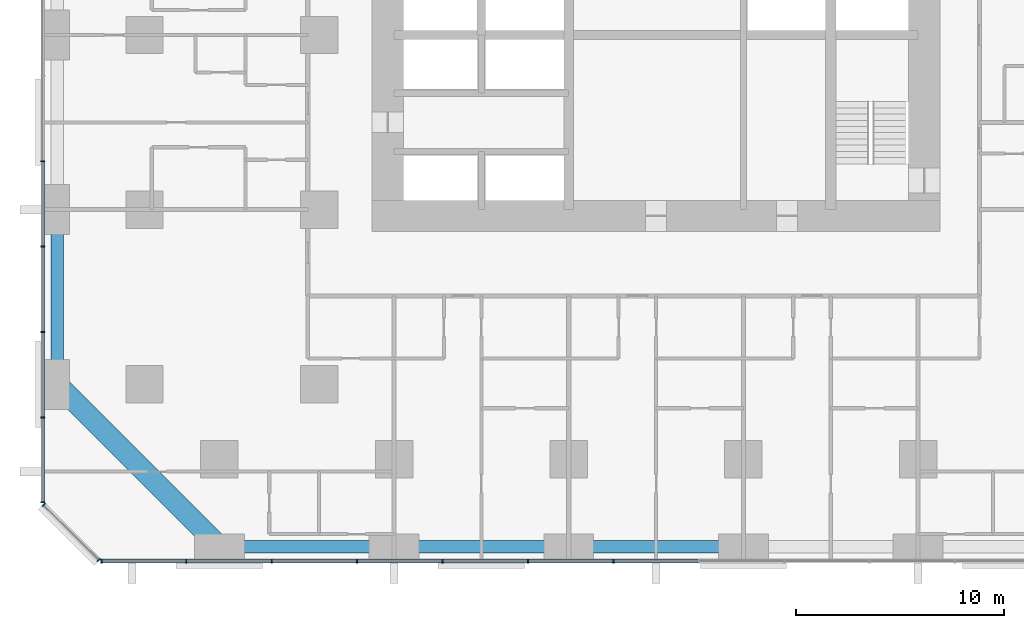
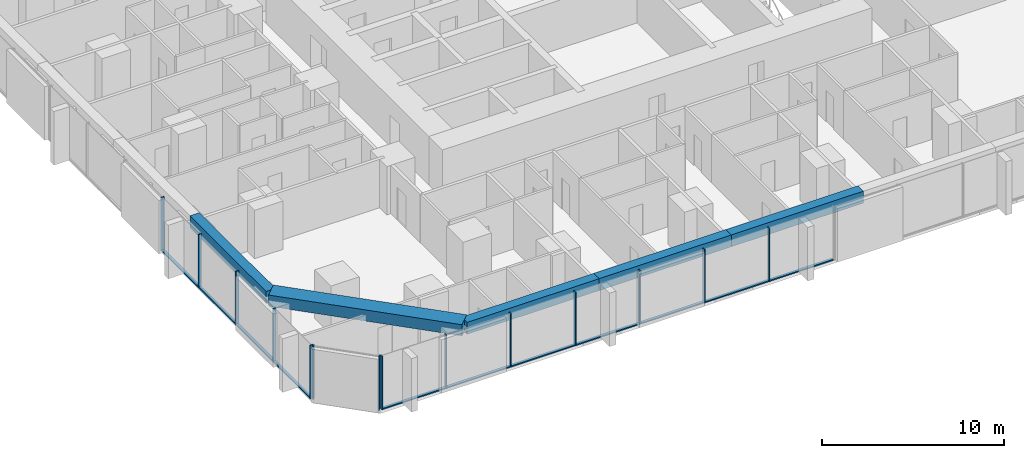
# One storey, part 2 of 17: 25 members, 5 beams, 3 elements without a shape of their own.
"""IFC4 building model written with IfcOpenShell, lengths in metres."""

from ifc_helpers import new_model, si_unit, direction, frame, origin, origin_2d, place, context, subcontext, project, spatial, rectangle, extrude, material, material_profile, profile_set, type_object, element, aggregate, save


model = new_model("IFC4")

# Units and contexts
model_context = context("Model", 3, precision=1e-05, world=origin(), true_north=direction((0.0, 1.0)))
body_context = subcontext(model_context, "Body", "Model", "MODEL_VIEW")
ifc_project = project(units=[si_unit("LENGTHUNIT", "METRE"), si_unit("AREAUNIT", "SQUARE_METRE"), si_unit("VOLUMEUNIT", "CUBIC_METRE"), si_unit("PLANEANGLEUNIT", "RADIAN"), si_unit("MASSUNIT", "GRAM", prefix="KILO")], contexts=[model_context])

# Site, building, storey
site_placement = place(None, origin())
site = spatial("IfcSite", under=ifc_project, at=site_placement, CompositionType="ELEMENT")
building_placement = place(site_placement, origin())
building = spatial("IfcBuilding", under=site, at=building_placement, Name="Dunama Terrace Hotel", CompositionType="ELEMENT")
storey_placement = place(building_placement, frame((0.0, 0.0, 52.199951171875)))
storey = spatial("IfcBuildingStorey", under=building, at=storey_placement, Name="L12", CompositionType="ELEMENT", Elevation=52.199951171875)

# Curtain wall, members
ifc_material_1 = material(Name="Aluminium curtain wall system", Category="aluminium")
curtain_wall_type = type_object("IfcCurtainWallType", Name="Unitised fritted glass wall CW-A", PredefinedType="NOTDEFINED", material=ifc_material_1)
curtain_wall_1_placement = place(storey_placement, origin())
curtain_wall_1 = element("IfcCurtainWall", 1, at=curtain_wall_1_placement, inside=storey, type_object=curtain_wall_type, Name="Unitised fritted glass wall CW-A L12", PredefinedType="NOTDEFINED")
ifc_material_2 = material(Name="Aluminium mullion", Category="aluminium")
ifc_material_profile_1 = material_profile(ifc_material_2, rectangle(XDim=0.06494140625, YDim=0.199951171875, at=origin_2d()), Name="CWA MULLION 65X200")
ifc_profile_set_1 = profile_set([ifc_material_profile_1], Name="Aluminium mullion")
member_type_1 = type_object("IfcMemberType", Name="CWA mullion 65x200", PredefinedType="MULLION", material=ifc_profile_set_1)
member_1_placement = place(storey_placement, frame((2.73291015625, -0.10009765625, 0.0), z_axis=(0.0, 0.0, 1.0), x_axis=(1.0, 0.0, 0.0)))
member_1 = element("IfcMember", 2, at=member_1_placement, type_object=member_type_1, Name="CWA mullion", PredefinedType="MULLION", context=body_context, shape_type="SweptSolid", body=[
    extrude(rectangle(XDim=0.06494140625, YDim=0.199951171875, at=origin_2d()), origin(), (0.0, 0.0, 1.0), 3.60009765625),
])
member_2_placement = place(storey_placement, frame((6.80810546875, -0.10009765625, 0.0), z_axis=(0.0, 0.0, 1.0), x_axis=(1.0, 0.0, 0.0)))
member_2 = element("IfcMember", 3, at=member_2_placement, type_object=member_type_1, Name="CWA mullion", PredefinedType="MULLION", context=body_context, shape_type="SweptSolid", body=[
    extrude(rectangle(XDim=0.06494140625, YDim=0.199951171875, at=origin_2d()), origin(), (0.0, 0.0, 1.0), 3.60009765625),
])
member_3_placement = place(storey_placement, frame((10.9150390625, -0.10009765625, 0.0), z_axis=(0.0, 0.0, 1.0), x_axis=(1.0, 0.0, 0.0)))
member_3 = element("IfcMember", 4, at=member_3_placement, type_object=member_type_1, Name="CWA mullion", PredefinedType="MULLION", context=body_context, shape_type="SweptSolid", body=[
    extrude(rectangle(XDim=0.06494140625, YDim=0.199951171875, at=origin_2d()), origin(), (0.0, 0.0, 1.0), 3.60009765625),
])
member_4_placement = place(storey_placement, frame((15.02294921875, -0.10009765625, 0.0), z_axis=(0.0, 0.0, 1.0), x_axis=(1.0, 0.0, 0.0)))
member_4 = element("IfcMember", 5, at=member_4_placement, type_object=member_type_1, Name="CWA mullion", PredefinedType="MULLION", context=body_context, shape_type="SweptSolid", body=[
    extrude(rectangle(XDim=0.06494140625, YDim=0.199951171875, at=origin_2d()), origin(), (0.0, 0.0, 1.0), 3.60009765625),
])
member_5_placement = place(storey_placement, frame((19.131103515625, -0.10009765625, 0.0), z_axis=(0.0, 0.0, 1.0), x_axis=(1.0, 0.0, 0.0)))
member_5 = element("IfcMember", 6, at=member_5_placement, type_object=member_type_1, Name="CWA mullion", PredefinedType="MULLION", context=body_context, shape_type="SweptSolid", body=[
    extrude(rectangle(XDim=0.06494140625, YDim=0.199951171875, at=origin_2d()), origin(), (0.0, 0.0, 1.0), 3.60009765625),
])
member_6_placement = place(storey_placement, frame((23.238037109375, -0.10009765625, 0.0), z_axis=(0.0, 0.0, 1.0), x_axis=(1.0, 0.0, 0.0)))
member_6 = element("IfcMember", 7, at=member_6_placement, type_object=member_type_1, Name="CWA mullion", PredefinedType="MULLION", context=body_context, shape_type="SweptSolid", body=[
    extrude(rectangle(XDim=0.06494140625, YDim=0.199951171875, at=origin_2d()), origin(), (0.0, 0.0, 1.0), 3.60009765625),
])
member_7_placement = place(storey_placement, frame((27.345947265625, -0.10009765625, 0.0), z_axis=(0.0, 0.0, 1.0), x_axis=(1.0, 0.0, 0.0)))
member_7 = element("IfcMember", 8, at=member_7_placement, type_object=member_type_1, Name="CWA mullion", PredefinedType="MULLION", context=body_context, shape_type="SweptSolid", body=[
    extrude(rectangle(XDim=0.06494140625, YDim=0.199951171875, at=origin_2d()), origin(), (0.0, 0.0, 1.0), 3.60009765625),
])

curtain_wall_2_placement = place(storey_placement, origin())
curtain_wall_2 = element("IfcCurtainWall", 9, at=curtain_wall_2_placement, inside=storey, type_object=curtain_wall_type, Name="Unitised fritted glass wall CW-A L12", PredefinedType="NOTDEFINED")
member_8_placement = place(storey_placement, frame((-0.10009765625, 19.131103515625, 0.0), z_axis=(0.0, 0.0, 1.0), x_axis=(0.0, -1.0, 0.0)))
member_8 = element("IfcMember", 10, at=member_8_placement, type_object=member_type_1, Name="CWA mullion", PredefinedType="MULLION", context=body_context, shape_type="SweptSolid", body=[
    extrude(rectangle(XDim=0.06494140625, YDim=0.199951171875, at=origin_2d()), origin(), (0.0, 0.0, 1.0), 3.60009765625),
])
member_9_placement = place(storey_placement, frame((-0.10009765625, 15.02294921875, 0.0), z_axis=(0.0, 0.0, 1.0), x_axis=(0.0, -1.0, 0.0)))
member_9 = element("IfcMember", 11, at=member_9_placement, type_object=member_type_1, Name="CWA mullion", PredefinedType="MULLION", context=body_context, shape_type="SweptSolid", body=[
    extrude(rectangle(XDim=0.06494140625, YDim=0.199951171875, at=origin_2d()), origin(), (0.0, 0.0, 1.0), 3.60009765625),
])
member_10_placement = place(storey_placement, frame((-0.10009765625, 10.9150390625, 0.0), z_axis=(0.0, 0.0, 1.0), x_axis=(0.0, -1.0, 0.0)))
member_10 = element("IfcMember", 12, at=member_10_placement, type_object=member_type_1, Name="CWA mullion", PredefinedType="MULLION", context=body_context, shape_type="SweptSolid", body=[
    extrude(rectangle(XDim=0.06494140625, YDim=0.199951171875, at=origin_2d()), origin(), (0.0, 0.0, 1.0), 3.60009765625),
])
member_11_placement = place(storey_placement, frame((-0.10009765625, 6.80810546875, 0.0), z_axis=(0.0, 0.0, 1.0), x_axis=(0.0, -1.0, 0.0)))
member_11 = element("IfcMember", 13, at=member_11_placement, type_object=member_type_1, Name="CWA mullion", PredefinedType="MULLION", context=body_context, shape_type="SweptSolid", body=[
    extrude(rectangle(XDim=0.06494140625, YDim=0.199951171875, at=origin_2d()), origin(), (0.0, 0.0, 1.0), 3.60009765625),
])
member_12_placement = place(storey_placement, frame((-0.10009765625, 2.73291015625, 0.0), z_axis=(0.0, 0.0, 1.0), x_axis=(0.0, -1.0, 0.0)))
member_12 = element("IfcMember", 14, at=member_12_placement, type_object=member_type_1, Name="CWA mullion", PredefinedType="MULLION", context=body_context, shape_type="SweptSolid", body=[
    extrude(rectangle(XDim=0.06494140625, YDim=0.199951171875, at=origin_2d()), origin(), (0.0, 0.0, 1.0), 3.60009765625),
])

curtain_wall_3_placement = place(storey_placement, origin())
curtain_wall_3 = element("IfcCurtainWall", 15, at=curtain_wall_3_placement, inside=storey, type_object=curtain_wall_type, Name="Unitised fritted glass wall CW-A L12", PredefinedType="NOTDEFINED")
member_13_placement = place(storey_placement, frame((-0.048095703125, 2.60595703125, 0.0), z_axis=(0.0, 0.0, 1.0), x_axis=(0.707106781187, -0.707106781187, 0.0)))
member_13 = element("IfcMember", 16, at=member_13_placement, type_object=member_type_1, Name="CWA mullion", PredefinedType="MULLION", context=body_context, shape_type="SweptSolid", body=[
    extrude(rectangle(XDim=0.06494140625, YDim=0.199951171875, at=origin_2d()), origin(), (0.0, 0.0, 1.0), 3.60009765625),
])
member_14_placement = place(storey_placement, frame((2.60595703125, -0.048095703125, 0.0), z_axis=(0.0, 0.0, 1.0), x_axis=(0.707106781187, -0.707106781187, 0.0)))
member_14 = element("IfcMember", 17, at=member_14_placement, type_object=member_type_1, Name="CWA mullion", PredefinedType="MULLION", context=body_context, shape_type="SweptSolid", body=[
    extrude(rectangle(XDim=0.06494140625, YDim=0.199951171875, at=origin_2d()), origin(), (0.0, 0.0, 1.0), 3.60009765625),
])
aggregate(curtain_wall_3, [member_13, member_14])

# Member
ifc_material_3 = material(Name="Aluminium transom", Category="aluminium")
ifc_material_profile_2 = material_profile(ifc_material_3, rectangle(XDim=0.179931640625, YDim=0.074951171875, at=origin_2d()), Name="CWA TRANSOM 180X75")
ifc_profile_set_2 = profile_set([ifc_material_profile_2], Name="Aluminium transom")
member_type_2 = type_object("IfcMemberType", Name="CWA transom 180x75", PredefinedType="USERDEFINED", material=ifc_profile_set_2)
member_15_placement = place(storey_placement, frame((2.764892578125, -0.10009765625, 0.03759765625), z_axis=(1.0, 0.0, 0.0), x_axis=(0.0, 1.0, 0.0)))
member_15 = element("IfcMember", 18, at=member_15_placement, type_object=member_type_2, Name="CWA transom", ObjectType="TRANSOM", PredefinedType="USERDEFINED", context=body_context, shape_type="SweptSolid", body=[
    extrude(rectangle(XDim=0.179931640625, YDim=0.074951171875, at=origin_2d()), origin(), (0.0, 0.0, 1.0), 4.010009765625),
])

member_16_placement = place(storey_placement, frame((6.840087890625, -0.10009765625, 0.03759765625), z_axis=(1.0, 0.0, 0.0), x_axis=(0.0, 1.0, 0.0)))
member_16 = element("IfcMember", 19, at=member_16_placement, type_object=member_type_2, Name="CWA transom", ObjectType="TRANSOM", PredefinedType="USERDEFINED", context=body_context, shape_type="SweptSolid", body=[
    extrude(rectangle(XDim=0.179931640625, YDim=0.074951171875, at=origin_2d()), origin(), (0.0, 0.0, 1.0), 4.04296875),
])

member_17_placement = place(storey_placement, frame((10.947998046875, -0.10009765625, 0.03759765625), z_axis=(1.0, 0.0, 0.0), x_axis=(0.0, 1.0, 0.0)))
member_17 = element("IfcMember", 20, at=member_17_placement, type_object=member_type_2, Name="CWA transom", ObjectType="TRANSOM", PredefinedType="USERDEFINED", context=body_context, shape_type="SweptSolid", body=[
    extrude(rectangle(XDim=0.179931640625, YDim=0.074951171875, at=origin_2d()), origin(), (0.0, 0.0, 1.0), 4.04296875),
])

member_18_placement = place(storey_placement, frame((15.055908203125, -0.10009765625, 0.03759765625), z_axis=(1.0, 0.0, 0.0), x_axis=(0.0, 1.0, 0.0)))
member_18 = element("IfcMember", 21, at=member_18_placement, type_object=member_type_2, Name="CWA transom", ObjectType="TRANSOM", PredefinedType="USERDEFINED", context=body_context, shape_type="SweptSolid", body=[
    extrude(rectangle(XDim=0.179931640625, YDim=0.074951171875, at=origin_2d()), origin(), (0.0, 0.0, 1.0), 4.0419921875),
])

member_19_placement = place(storey_placement, frame((19.1630859375, -0.10009765625, 0.03759765625), z_axis=(1.0, 0.0, 0.0), x_axis=(0.0, 1.0, 0.0)))
member_19 = element("IfcMember", 22, at=member_19_placement, type_object=member_type_2, Name="CWA transom", ObjectType="TRANSOM", PredefinedType="USERDEFINED", context=body_context, shape_type="SweptSolid", body=[
    extrude(rectangle(XDim=0.179931640625, YDim=0.074951171875, at=origin_2d()), origin(), (0.0, 0.0, 1.0), 4.04296875),
])

member_20_placement = place(storey_placement, frame((23.27099609375, -0.10009765625, 0.03759765625), z_axis=(1.0, 0.0, 0.0), x_axis=(0.0, 1.0, 0.0)))
member_20 = element("IfcMember", 23, at=member_20_placement, type_object=member_type_2, Name="CWA transom", ObjectType="TRANSOM", PredefinedType="USERDEFINED", context=body_context, shape_type="SweptSolid", body=[
    extrude(rectangle(XDim=0.179931640625, YDim=0.074951171875, at=origin_2d()), origin(), (0.0, 0.0, 1.0), 4.04296875),
])

member_21_placement = place(storey_placement, frame((27.37890625, -0.10009765625, 0.03759765625), z_axis=(1.0, 0.0, 0.0), x_axis=(0.0, 1.0, 0.0)))
member_21 = element("IfcMember", 24, at=member_21_placement, type_object=member_type_2, Name="CWA transom", ObjectType="TRANSOM", PredefinedType="USERDEFINED", context=body_context, shape_type="SweptSolid", body=[
    extrude(rectangle(XDim=0.179931640625, YDim=0.074951171875, at=origin_2d()), origin(), (0.0, 0.0, 1.0), 4.0419921875),
])

aggregate(curtain_wall_1, [member_1, member_2, member_3, member_4, member_5, member_6, member_7, member_15, member_16, member_17, member_18, member_19, member_20, member_21])

member_22_placement = place(storey_placement, frame((-0.10009765625, 19.097900390625, 0.03759765625), z_axis=(0.0, -1.0, 0.0), x_axis=(1.0, 0.0, 0.0)))
member_22 = element("IfcMember", 25, at=member_22_placement, type_object=member_type_2, Name="CWA transom", ObjectType="TRANSOM", PredefinedType="USERDEFINED", context=body_context, shape_type="SweptSolid", body=[
    extrude(rectangle(XDim=0.179931640625, YDim=0.074951171875, at=origin_2d()), origin(), (0.0, 0.0, 1.0), 4.0419921875),
])

member_23_placement = place(storey_placement, frame((-0.10009765625, 14.990966796875, 0.03759765625), z_axis=(0.0, -1.0, 0.0), x_axis=(1.0, 0.0, 0.0)))
member_23 = element("IfcMember", 26, at=member_23_placement, type_object=member_type_2, Name="CWA transom", ObjectType="TRANSOM", PredefinedType="USERDEFINED", context=body_context, shape_type="SweptSolid", body=[
    extrude(rectangle(XDim=0.179931640625, YDim=0.074951171875, at=origin_2d()), origin(), (0.0, 0.0, 1.0), 4.04296875),
])

member_24_placement = place(storey_placement, frame((-0.10009765625, 10.883056640625, 0.03759765625), z_axis=(0.0, -1.0, 0.0), x_axis=(1.0, 0.0, 0.0)))
member_24 = element("IfcMember", 27, at=member_24_placement, type_object=member_type_2, Name="CWA transom", ObjectType="TRANSOM", PredefinedType="USERDEFINED", context=body_context, shape_type="SweptSolid", body=[
    extrude(rectangle(XDim=0.179931640625, YDim=0.074951171875, at=origin_2d()), origin(), (0.0, 0.0, 1.0), 4.04296875),
])

member_25_placement = place(storey_placement, frame((-0.10009765625, 6.77490234375, 0.03759765625), z_axis=(0.0, -1.0, 0.0), x_axis=(1.0, 0.0, 0.0)))
member_25 = element("IfcMember", 28, at=member_25_placement, type_object=member_type_2, Name="CWA transom", ObjectType="TRANSOM", PredefinedType="USERDEFINED", context=body_context, shape_type="SweptSolid", body=[
    extrude(rectangle(XDim=0.179931640625, YDim=0.074951171875, at=origin_2d()), origin(), (0.0, 0.0, 1.0), 4.010009765625),
])

aggregate(curtain_wall_2, [member_8, member_9, member_10, member_11, member_12, member_22, member_23, member_24, member_25])

# Beams
ifc_material_4 = material(Name="Concrete C50/60", Category="concrete")
ifc_material_profile_3 = material_profile(ifc_material_4, rectangle(XDim=1.0, YDim=0.75, at=origin_2d()), Name="RC 1000x750")
ifc_profile_set_3 = profile_set([ifc_material_profile_3], Name="Concrete C50/60")
beam_type_1 = type_object("IfcBeamType", Name="Edge beam RC 1000x750", PredefinedType="SPANDREL", material=ifc_profile_set_3)
beam_1_placement = place(storey_placement, frame((8.39990234375, 0.60009765625, 3.22509765625), z_axis=(-0.707106781187, 0.707106781187, 0.0), x_axis=(-0.707106781187, -0.707106781187, 0.0)))
element("IfcBeam", 29, at=beam_1_placement, inside=storey, type_object=beam_type_1, Name="Corner edge beam under L13", PredefinedType="SPANDREL", context=body_context, shape_type="SweptSolid", body=[
    extrude(rectangle(XDim=1.0, YDim=0.75, at=origin_2d()), origin(), (0.0, 0.0, 1.0), 11.030517578125),
])
ifc_material_5 = material(Name="Concrete C40/50", Category="concrete")
ifc_material_profile_4 = material_profile(ifc_material_5, rectangle(XDim=0.60009765625, YDim=0.800048828125, at=origin_2d()), Name="RC 600x800")
ifc_profile_set_4 = profile_set([ifc_material_profile_4], Name="Concrete C40/50")
beam_type_2 = type_object("IfcBeamType", Name="Edge beam RC 600x800", PredefinedType="SPANDREL", material=ifc_profile_set_4)
for number, where, z_axis, x_axis, name in (
    (30, (0.60009765625, 8.39990234375, 3.199951171875), (0.0, 1.0, 0.0), (-1.0, 0.0, 0.0), "Edge beam under L13"),
    (31, (8.39990234375, 0.60009765625, 3.199951171875), (1.0, 0.0, 0.0), (0.0, 1.0, 0.0), "Edge beam under L13"),
):
    element("IfcBeam", number, at=place(storey_placement, frame(where, z_axis=z_axis, x_axis=x_axis)), inside=storey, type_object=beam_type_2, Name=name, PredefinedType="SPANDREL", context=body_context, shape_type="SweptSolid", body=[
        extrude(rectangle(XDim=0.60009765625, YDim=0.800048828125, at=origin_2d()), origin(), (0.0, 0.0, 1.0), 8.400146484375),
    ])
beam_2_placement = place(storey_placement, frame((16.800048828125, 0.60009765625, 3.199951171875), z_axis=(1.0, 0.0, 0.0), x_axis=(0.0, 1.0, 0.0)))
element("IfcBeam", 32, at=beam_2_placement, inside=storey, type_object=beam_type_2, Name="Edge beam under L13", PredefinedType="SPANDREL", context=body_context, shape_type="SweptSolid", body=[
    extrude(rectangle(XDim=0.60009765625, YDim=0.800048828125, at=origin_2d()), origin(), (0.0, 0.0, 1.0), 8.39990234375),
])
beam_3_placement = place(storey_placement, frame((25.199951171875, 0.60009765625, 3.199951171875), z_axis=(1.0, 0.0, 0.0), x_axis=(0.0, 1.0, 0.0)))
element("IfcBeam", 33, at=beam_3_placement, inside=storey, type_object=beam_type_2, Name="Edge beam under L13", PredefinedType="SPANDREL", context=body_context, shape_type="SweptSolid", body=[
    extrude(rectangle(XDim=0.60009765625, YDim=0.800048828125, at=origin_2d()), origin(), (0.0, 0.0, 1.0), 8.400146484375),
])

save(model, "model.ifc")
